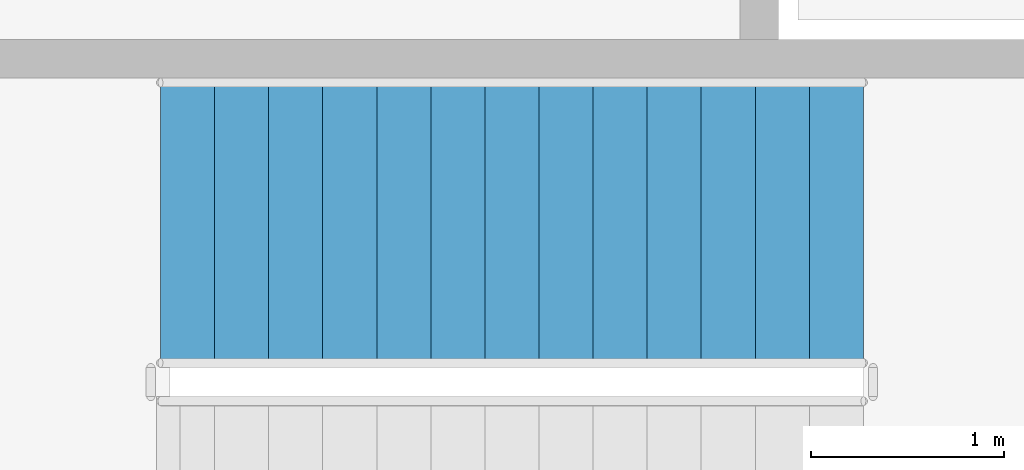
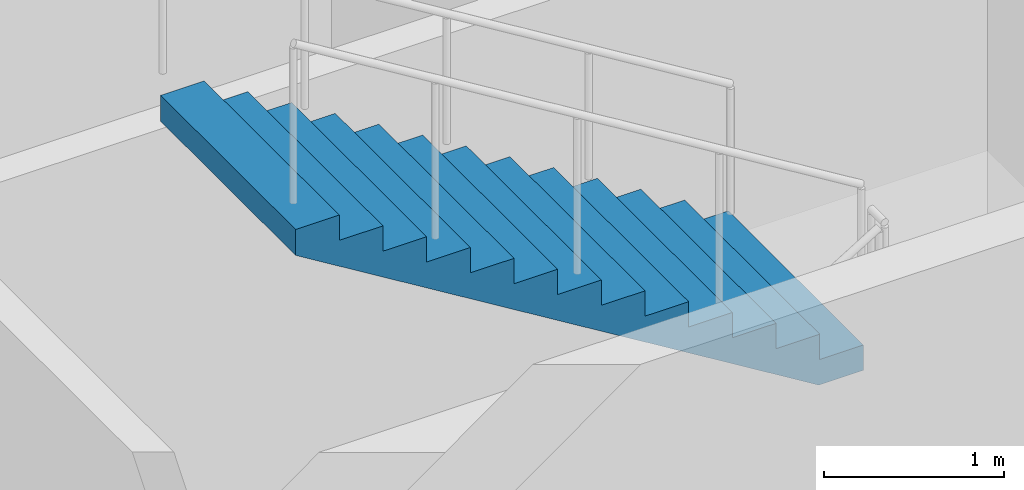
# One storey, part 60 of 91: 1 stair flight, 1 element without a shape of its own.
"""IFC4 building model written with IfcOpenShell, lengths in metres."""

from ifc_helpers import new_model, si_unit, direction, frame, origin, place, context, subcontext, project, spatial, triangles, material, type_object, element, aggregate, save


model = new_model("IFC4")

# Units and contexts
model_context = context("Model", 3, precision=1e-05, world=origin(), true_north=direction((0.0, 1.0)))
body_context = subcontext(model_context, "Body", "Model", "MODEL_VIEW")
ifc_project = project(units=[si_unit("LENGTHUNIT", "METRE"), si_unit("AREAUNIT", "SQUARE_METRE"), si_unit("VOLUMEUNIT", "CUBIC_METRE"), si_unit("PLANEANGLEUNIT", "RADIAN"), si_unit("MASSUNIT", "GRAM", prefix="KILO")], contexts=[model_context])

# Site, building, storey
site_placement = place(None, origin())
site = spatial("IfcSite", under=ifc_project, at=site_placement, CompositionType="ELEMENT")
building_placement = place(site_placement, origin())
building = spatial("IfcBuilding", under=site, at=building_placement, Name="Magnolia Steps Interchange", CompositionType="ELEMENT")
storey_placement = place(building_placement, origin())
storey = spatial("IfcBuildingStorey", under=building, at=storey_placement, Name="L00", CompositionType="ELEMENT", Elevation=0.0)

# Stair, stair flight
ifc_material_1 = material(Name="Concrete C40", Category="concrete")
stair_type = type_object("IfcStairType", Name="Exit stair 1500", PredefinedType="HALF_TURN_STAIR", material=ifc_material_1)
stair_placement = place(storey_placement, origin())
stair = element("IfcStair", 1, at=stair_placement, inside=storey, type_object=stair_type, Name="L00 Stair 8", PredefinedType="HALF_TURN_STAIR")
ifc_material_2 = material(Name="Concrete C40", Category="concrete")
stair_flight_type = type_object("IfcStairFlightType", Name="Exit stair flight", PredefinedType="STRAIGHT", material=ifc_material_2)
stair_flight_placement = place(storey_placement, frame((115.840087890625, 45.300048828125, 2.39990234375), z_axis=(0.0, 0.0, 1.0), x_axis=(-1.0, 0.0, 0.0)))
stair_flight = element("IfcStairFlight", 2, at=stair_flight_placement, type_object=stair_flight_type, Name="Stair 8 flight 2", NumberOfRisers=14, NumberOfTreads=13, PredefinedType="STRAIGHT", RiserHeight=0.171428571, TreadLength=0.28, context=body_context, shape_type="Tessellation", body=[
    triangles([(0.0, -0.75, 0.0), (0.287109375, -0.75, 0.0), (3.639892578125, -0.75, 2.052734375), (3.639892578125, -0.75, 2.228515625), (3.360107421875, -0.75, 2.228515625), (3.360107421875, -0.75, 2.05712890625), (3.080078125, -0.75, 2.05712890625), (3.080078125, -0.75, 1.8857421875), (2.800048828125, -0.75, 1.8857421875), (2.800048828125, -0.75, 1.71435546875), (2.52001953125, -0.75, 1.71435546875), (2.52001953125, -0.75, 1.54296875), (2.239990234375, -0.75, 1.54296875), (2.239990234375, -0.75, 1.371337890625), (1.9599609375, -0.75, 1.371337890625), (1.9599609375, -0.75, 1.199951171875), (1.679931640625, -0.75, 1.199951171875), (1.679931640625, -0.75, 1.028564453125), (1.39990234375, -0.75, 1.028564453125), (1.39990234375, -0.75, 0.857177734375), (1.1201171875, -0.75, 0.857177734375), (1.1201171875, -0.75, 0.685791015625), (0.840087890625, -0.75, 0.685791015625), (0.840087890625, -0.75, 0.514404296875), (0.56005859375, -0.75, 0.514404296875), (0.56005859375, -0.75, 0.3427734375), (0.280029296875, -0.75, 0.3427734375), (0.280029296875, -0.75, 0.17138671875), (0.0, -0.75, 0.17138671875), (0.0, 0.75, 0.0), (0.287109375, 0.75, 0.0), (3.639892578125, 0.75, 2.052734375), (3.639892578125, 0.75, 2.228515625), (3.360107421875, 0.75, 2.228515625), (3.360107421875, 0.75, 2.05712890625), (3.080078125, 0.75, 2.05712890625), (3.080078125, 0.75, 1.8857421875), (2.800048828125, 0.75, 1.8857421875), (2.800048828125, 0.75, 1.71435546875), (2.52001953125, 0.75, 1.71435546875), (2.52001953125, 0.75, 1.54296875), (2.239990234375, 0.75, 1.54296875), (2.239990234375, 0.75, 1.371337890625), (1.9599609375, 0.75, 1.371337890625), (1.9599609375, 0.75, 1.199951171875), (1.679931640625, 0.75, 1.199951171875), (1.679931640625, 0.75, 1.028564453125), (1.39990234375, 0.75, 1.028564453125), (1.39990234375, 0.75, 0.857177734375), (1.1201171875, 0.75, 0.857177734375), (1.1201171875, 0.75, 0.685791015625), (0.840087890625, 0.75, 0.685791015625), (0.840087890625, 0.75, 0.514404296875), (0.56005859375, 0.75, 0.514404296875), (0.56005859375, 0.75, 0.3427734375), (0.280029296875, 0.75, 0.3427734375), (0.280029296875, 0.75, 0.17138671875), (0.0, 0.75, 0.17138671875), (0.0, 0.0, 0.0), (0.0, 0.0, 0.0428466796875), (0.0, 0.0, 0.085693359375), (0.0, 0.0, 0.1285400390625), (0.0, 0.0, 0.17138671875), (0.0, -0.05, 0.0), (0.0, -0.05, 0.17138671875), (0.0, 0.05, 0.0), (0.0, 0.05, 0.17138671875), (0.046671549479166664, 0.0, 0.17138671875), (0.09334309895833333, 0.0, 0.17138671875), (0.1400146484375, 0.0, 0.17138671875), (0.18668619791666666, 0.0, 0.17138671875), (0.23335774739583334, 0.0, 0.17138671875), (0.280029296875, 0.0, 0.17138671875), (0.280029296875, -0.05, 0.17138671875), (0.280029296875, 0.05, 0.17138671875), (0.280029296875, 0.0, 0.2142333984375), (0.280029296875, 0.0, 0.257080078125), (0.280029296875, 0.0, 0.2999267578125), (0.280029296875, 0.0, 0.3427734375), (0.280029296875, -0.05, 0.3427734375), (0.280029296875, 0.05, 0.3427734375), (0.3267008463541667, 0.0, 0.3427734375), (0.3733723958333333, 0.0, 0.3427734375), (0.4200439453125, 0.0, 0.3427734375), (0.46671549479166663, 0.0, 0.3427734375), (0.5133870442708334, 0.0, 0.3427734375), (0.56005859375, 0.0, 0.3427734375), (0.56005859375, -0.05, 0.3427734375), (0.56005859375, 0.05, 0.3427734375), (0.56005859375, 0.0, 0.38568115234375), (0.56005859375, 0.0, 0.4285888671875), (0.56005859375, 0.0, 0.47149658203125), (0.56005859375, 0.0, 0.514404296875), (0.56005859375, -0.05, 0.514404296875), (0.56005859375, 0.05, 0.514404296875), (0.6067301432291666, 0.0, 0.514404296875), (0.6534016927083334, 0.0, 0.514404296875), (0.7000732421875, 0.0, 0.514404296875), (0.7467447916666666, 0.0, 0.514404296875), (0.7934163411458334, 0.0, 0.514404296875), (0.840087890625, 0.0, 0.514404296875), (0.840087890625, -0.05, 0.514404296875), (0.840087890625, 0.05, 0.514404296875), (0.840087890625, 0.0, 0.5572509765625), (0.840087890625, 0.0, 0.60009765625), (0.840087890625, 0.0, 0.6429443359375), (0.840087890625, 0.0, 0.685791015625), (0.840087890625, -0.05, 0.685791015625), (0.840087890625, 0.05, 0.685791015625), (0.8867594401041666, 0.0, 0.685791015625), (0.9334309895833334, 0.0, 0.685791015625), (0.9801025390625, 0.0, 0.685791015625), (1.0267740885416667, 0.0, 0.685791015625), (1.0734456380208333, 0.0, 0.685791015625), (1.1201171875, 0.0, 0.685791015625), (1.1201171875, -0.05, 0.685791015625), (1.1201171875, 0.05, 0.685791015625), (1.1201171875, 0.0, 0.7286376953125), (1.1201171875, 0.0, 0.771484375), (1.1201171875, 0.0, 0.8143310546875), (1.1201171875, 0.0, 0.857177734375), (1.1201171875, -0.05, 0.857177734375), (1.1201171875, 0.05, 0.857177734375), (1.1900634765625, 0.0, 0.857177734375), (1.260009765625, 0.0, 0.857177734375), (1.3299560546875, 0.0, 0.857177734375), (1.39990234375, 0.0, 0.857177734375), (1.39990234375, -0.05, 0.857177734375), (1.39990234375, 0.05, 0.857177734375), (1.39990234375, 0.0, 0.9000244140625), (1.39990234375, 0.0, 0.94287109375), (1.39990234375, 0.0, 0.9857177734375), (1.39990234375, 0.0, 1.028564453125), (1.39990234375, -0.05, 1.028564453125), (1.39990234375, 0.05, 1.028564453125), (1.4465738932291667, 0.0, 1.028564453125), (1.4932454427083333, 0.0, 1.028564453125), (1.5399169921875, 0.0, 1.028564453125), (1.5865885416666667, 0.0, 1.028564453125), (1.6332600911458333, 0.0, 1.028564453125), (1.679931640625, 0.0, 1.028564453125), (1.679931640625, -0.05, 1.028564453125), (1.679931640625, 0.05, 1.028564453125), (1.679931640625, 0.0, 1.0714111328125), (1.679931640625, 0.0, 1.1142578125), (1.679931640625, 0.0, 1.1571044921875), (1.679931640625, 0.0, 1.199951171875), (1.679931640625, -0.05, 1.199951171875), (1.679931640625, 0.05, 1.199951171875), (1.7266031901041667, 0.0, 1.199951171875), (1.7732747395833333, 0.0, 1.199951171875), (1.8199462890625, 0.0, 1.199951171875), (1.8666178385416667, 0.0, 1.199951171875), (1.9132893880208333, 0.0, 1.199951171875), (1.9599609375, 0.0, 1.199951171875), (1.9599609375, -0.05, 1.199951171875), (1.9599609375, 0.05, 1.199951171875), (1.9599609375, 0.0, 1.2427978515625), (1.9599609375, 0.0, 1.28564453125), (1.9599609375, 0.0, 1.3284912109375), (1.9599609375, 0.0, 1.371337890625), (1.9599609375, -0.05, 1.371337890625), (1.9599609375, 0.05, 1.371337890625), (2.0066324869791665, 0.0, 1.371337890625), (2.0533040364583335, 0.0, 1.371337890625), (2.0999755859375, 0.0, 1.371337890625), (2.1466471354166665, 0.0, 1.371337890625), (2.1933186848958335, 0.0, 1.371337890625), (2.239990234375, 0.0, 1.371337890625), (2.239990234375, -0.05, 1.371337890625), (2.239990234375, 0.05, 1.371337890625), (2.239990234375, 0.0, 1.41424560546875), (2.239990234375, 0.0, 1.4571533203125), (2.239990234375, 0.0, 1.50006103515625), (2.239990234375, 0.0, 1.54296875), (2.239990234375, -0.05, 1.54296875), (2.239990234375, 0.05, 1.54296875), (2.2866617838541665, 0.0, 1.54296875), (2.3333333333333335, 0.0, 1.54296875), (2.3800048828125, 0.0, 1.54296875), (2.4266764322916665, 0.0, 1.54296875), (2.4733479817708335, 0.0, 1.54296875), (2.52001953125, 0.0, 1.54296875), (2.52001953125, -0.05, 1.54296875), (2.52001953125, 0.05, 1.54296875), (2.52001953125, 0.0, 1.5858154296875), (2.52001953125, 0.0, 1.628662109375), (2.52001953125, 0.0, 1.6715087890625), (2.52001953125, 0.0, 1.71435546875), (2.52001953125, -0.05, 1.71435546875), (2.52001953125, 0.05, 1.71435546875), (2.5666910807291665, 0.0, 1.71435546875), (2.6133626302083335, 0.0, 1.71435546875), (2.6600341796875, 0.0, 1.71435546875), (2.7067057291666665, 0.0, 1.71435546875), (2.7533772786458335, 0.0, 1.71435546875), (2.800048828125, 0.0, 1.71435546875), (2.800048828125, -0.05, 1.71435546875), (2.800048828125, 0.05, 1.71435546875), (2.800048828125, 0.0, 1.7572021484375), (2.800048828125, 0.0, 1.800048828125), (2.800048828125, 0.0, 1.8428955078125), (2.800048828125, 0.0, 1.8857421875), (2.800048828125, -0.05, 1.8857421875), (2.800048828125, 0.05, 1.8857421875), (2.8467203776041665, 0.0, 1.8857421875), (2.8933919270833335, 0.0, 1.8857421875), (2.9400634765625, 0.0, 1.8857421875), (2.9867350260416665, 0.0, 1.8857421875), (3.0334065755208335, 0.0, 1.8857421875), (3.080078125, 0.0, 1.8857421875), (3.080078125, -0.05, 1.8857421875), (3.080078125, 0.05, 1.8857421875), (3.080078125, 0.0, 1.9285888671875), (3.080078125, 0.0, 1.971435546875), (3.080078125, 0.0, 2.0142822265625), (3.080078125, 0.0, 2.05712890625), (3.080078125, -0.05, 2.05712890625), (3.080078125, 0.05, 2.05712890625), (3.1267496744791665, 0.0, 2.05712890625), (3.1734212239583335, 0.0, 2.05712890625), (3.2200927734375, 0.0, 2.05712890625), (3.2667643229166665, 0.0, 2.05712890625), (3.3134358723958335, 0.0, 2.05712890625), (3.360107421875, 0.0, 2.05712890625), (3.360107421875, -0.05, 2.05712890625), (3.360107421875, 0.05, 2.05712890625), (3.360107421875, 0.0, 2.0999755859375), (3.360107421875, 0.0, 2.142822265625), (3.360107421875, 0.0, 2.1856689453125), (3.360107421875, 0.0, 2.228515625), (3.360107421875, -0.05, 2.228515625), (3.360107421875, 0.05, 2.228515625), (3.4300537109375, 0.0, 2.228515625), (3.5, 0.0, 2.228515625), (3.5699462890625, 0.0, 2.228515625), (3.639892578125, 0.0, 2.228515625), (3.639892578125, -0.05, 2.228515625), (3.639892578125, 0.05, 2.228515625), (3.639892578125, 0.0, 2.1845703125), (3.639892578125, 0.0, 2.140625), (3.639892578125, 0.0, 2.0966796875), (3.639892578125, 0.0, 2.052734375), (3.639892578125, -0.05, 2.052734375), (3.639892578125, 0.05, 2.052734375), (3.582085971174569, 0.0, 2.0173424030172415), (3.524279364224138, 0.0, 1.9819504310344827), (3.466472757273707, 0.0, 1.9465584590517242), (3.408666150323276, 0.0, 1.9111664870689655), (3.3508595433728448, 0.0, 1.8757745150862069), (3.2930529364224137, 0.0, 1.8403825431034484), (3.2352463294719827, 0.0, 1.8049905711206897), (3.1774397225215516, 0.0, 1.769598599137931), (3.1196331155711206, 0.0, 1.7342066271551724), (3.0618265086206895, 0.0, 1.6988146551724137), (3.004019901670259, 0.0, 1.6634226831896552), (2.9462132947198274, 0.0, 1.6280307112068966), (2.888406687769397, 0.0, 1.592638739224138), (2.8306000808189653, 0.0, 1.5572467672413794), (2.7727934738685347, 0.0, 1.5218547952586206), (2.714986866918103, 0.0, 1.486462823275862), (2.6571802599676726, 0.0, 1.4510708512931034), (2.599373653017241, 0.0, 1.4156788793103448), (2.5415670460668105, 0.0, 1.3802869073275863), (2.483760439116379, 0.0, 1.3448949353448276), (2.4259538321659484, 0.0, 1.309502963362069), (2.3681472252155173, 0.0, 1.2741109913793105), (2.3103406182650863, 0.0, 1.2387190193965516), (2.2525340113146552, 0.0, 1.2033270474137931), (2.194727404364224, 0.0, 1.1679350754310345), (2.136920797413793, 0.0, 1.1325431034482758), (2.079114190463362, 0.0, 1.0971511314655173), (2.021307583512931, 0.0, 1.0617591594827587), (1.9635009765625, 0.0, 1.0263671875), (1.905694369612069, 0.0, 0.9909752155172413), (1.847887762661638, 0.0, 0.9555832435344827), (1.7900811557112069, 0.0, 0.9201912715517242), (1.7322745487607758, 0.0, 0.8847992995689655), (1.6744679418103448, 0.0, 0.8494073275862069), (1.6166613348599137, 0.0, 0.8140153556034482), (1.5588547279094827, 0.0, 0.7786233836206897), (1.5010481209590516, 0.0, 0.743231411637931), (1.4432415140086206, 0.0, 0.7078394396551724), (1.3854349070581895, 0.0, 0.6724474676724137), (1.3276283001077585, 0.0, 0.6370554956896552), (1.2698216931573274, 0.0, 0.6016635237068966), (1.2120150862068964, 0.0, 0.5662715517241379), (1.1542084792564653, 0.0, 0.5308795797413792), (1.0964018723060347, 0.0, 0.4954876077586208), (1.0385952653556036, 0.0, 0.4600956357758621), (0.9807886584051726, 0.0, 0.4247036637931034), (0.9229820514547415, 0.0, 0.38931169181034475), (0.8651754445043105, 0.0, 0.3539197198275863), (0.8073688375538794, 0.0, 0.3185277478448276), (0.7495622306034484, 0.0, 0.28313577586206895), (0.6917556236530173, 0.0, 0.24774380387931028), (0.6339490167025863, 0.0, 0.21235183189655182), (0.5761424097521552, 0.0, 0.17695985991379315), (0.5183358028017242, 0.0, 0.14156788793103448), (0.46052919585129315, 0.0, 0.1061759159482758), (0.4027225889008621, 0.0, 0.07078394396551735), (0.34491598195043105, 0.0, 0.03539197198275845), (0.287109375, 0.0, 0.0), (0.287109375, -0.05, 0.0), (0.287109375, 0.05, 0.0), (0.2392578125, 0.0, 0.0), (0.19140625, 0.0, 0.0), (0.1435546875, 0.0, 0.0), (0.095703125, 0.0, 0.0), (0.0478515625, 0.0, 0.0)], [[1, 2, 3], [3, 4, 5], [3, 5, 6], [3, 6, 7], [3, 7, 8], [8, 9, 10], [3, 8, 10], [10, 11, 12], [3, 10, 12], [12, 13, 14], [3, 12, 14], [14, 15, 16], [3, 14, 16], [16, 17, 18], [3, 16, 18], [18, 19, 20], [3, 18, 20], [20, 21, 22], [3, 20, 22], [22, 23, 24], [3, 22, 24], [24, 25, 26], [3, 24, 26], [26, 27, 28], [3, 26, 28], [1, 3, 28], [28, 29, 1], [30, 32, 31], [32, 34, 33], [32, 35, 34], [32, 36, 35], [32, 37, 36], [37, 39, 38], [32, 39, 37], [39, 41, 40], [32, 41, 39], [41, 43, 42], [32, 43, 41], [43, 45, 44], [32, 45, 43], [45, 47, 46], [32, 47, 45], [47, 49, 48], [32, 49, 47], [49, 51, 50], [32, 51, 49], [51, 53, 52], [32, 53, 51], [53, 55, 54], [32, 55, 53], [55, 57, 56], [32, 57, 55], [30, 57, 32], [57, 30, 58], [1, 29, 65], [1, 65, 64], [64, 60, 59], [64, 61, 60], [64, 65, 61], [65, 62, 61], [65, 63, 62], [30, 67, 58], [30, 66, 67], [66, 59, 60], [66, 60, 61], [66, 61, 67], [67, 61, 62], [67, 62, 63], [29, 28, 74], [29, 74, 65], [65, 68, 63], [65, 69, 68], [65, 70, 69], [65, 74, 70], [74, 71, 70], [74, 72, 71], [74, 73, 72], [58, 75, 57], [58, 67, 75], [67, 63, 68], [67, 68, 69], [67, 69, 70], [67, 70, 75], [75, 70, 71], [75, 71, 72], [75, 72, 73], [28, 27, 80], [28, 80, 74], [74, 76, 73], [74, 77, 76], [74, 80, 77], [80, 78, 77], [80, 79, 78], [57, 81, 56], [57, 75, 81], [75, 73, 76], [75, 76, 77], [75, 77, 81], [81, 77, 78], [81, 78, 79], [27, 26, 88], [27, 88, 80], [80, 82, 79], [80, 83, 82], [80, 84, 83], [80, 88, 84], [88, 85, 84], [88, 86, 85], [88, 87, 86], [56, 89, 55], [56, 81, 89], [81, 79, 82], [81, 82, 83], [81, 83, 84], [81, 84, 89], [89, 84, 85], [89, 85, 86], [89, 86, 87], [26, 25, 94], [26, 94, 88], [88, 90, 87], [88, 91, 90], [88, 94, 91], [94, 92, 91], [94, 93, 92], [55, 95, 54], [55, 89, 95], [89, 87, 90], [89, 90, 91], [89, 91, 95], [95, 91, 92], [95, 92, 93], [25, 24, 102], [25, 102, 94], [94, 96, 93], [94, 97, 96], [94, 98, 97], [94, 102, 98], [102, 99, 98], [102, 100, 99], [102, 101, 100], [54, 103, 53], [54, 95, 103], [95, 93, 96], [95, 96, 97], [95, 97, 98], [95, 98, 103], [103, 98, 99], [103, 99, 100], [103, 100, 101], [24, 23, 108], [24, 108, 102], [102, 104, 101], [102, 105, 104], [102, 108, 105], [108, 106, 105], [108, 107, 106], [53, 109, 52], [53, 103, 109], [103, 101, 104], [103, 104, 105], [103, 105, 109], [109, 105, 106], [109, 106, 107], [23, 22, 116], [23, 116, 108], [108, 110, 107], [108, 111, 110], [108, 112, 111], [108, 116, 112], [116, 113, 112], [116, 114, 113], [116, 115, 114], [52, 117, 51], [52, 109, 117], [109, 107, 110], [109, 110, 111], [109, 111, 112], [109, 112, 117], [117, 112, 113], [117, 113, 114], [117, 114, 115], [22, 21, 122], [22, 122, 116], [116, 118, 115], [116, 119, 118], [116, 122, 119], [122, 120, 119], [122, 121, 120], [51, 123, 50], [51, 117, 123], [117, 115, 118], [117, 118, 119], [117, 119, 123], [123, 119, 120], [123, 120, 121], [21, 20, 128], [21, 128, 122], [122, 124, 121], [122, 125, 124], [122, 128, 125], [128, 126, 125], [128, 127, 126], [50, 129, 49], [50, 123, 129], [123, 121, 124], [123, 124, 125], [123, 125, 129], [129, 125, 126], [129, 126, 127], [20, 19, 134], [20, 134, 128], [128, 130, 127], [128, 131, 130], [128, 134, 131], [134, 132, 131], [134, 133, 132], [49, 135, 48], [49, 129, 135], [129, 127, 130], [129, 130, 131], [129, 131, 135], [135, 131, 132], [135, 132, 133], [19, 18, 142], [19, 142, 134], [134, 136, 133], [134, 137, 136], [134, 138, 137], [134, 142, 138], [142, 139, 138], [142, 140, 139], [142, 141, 140], [48, 143, 47], [48, 135, 143], [135, 133, 136], [135, 136, 137], [135, 137, 138], [135, 138, 143], [143, 138, 139], [143, 139, 140], [143, 140, 141], [18, 17, 148], [18, 148, 142], [142, 144, 141], [142, 145, 144], [142, 148, 145], [148, 146, 145], [148, 147, 146], [47, 149, 46], [47, 143, 149], [143, 141, 144], [143, 144, 145], [143, 145, 149], [149, 145, 146], [149, 146, 147], [17, 16, 156], [17, 156, 148], [148, 150, 147], [148, 151, 150], [148, 152, 151], [148, 156, 152], [156, 153, 152], [156, 154, 153], [156, 155, 154], [46, 157, 45], [46, 149, 157], [149, 147, 150], [149, 150, 151], [149, 151, 152], [149, 152, 157], [157, 152, 153], [157, 153, 154], [157, 154, 155], [16, 15, 162], [16, 162, 156], [156, 158, 155], [156, 159, 158], [156, 162, 159], [162, 160, 159], [162, 161, 160], [45, 163, 44], [45, 157, 163], [157, 155, 158], [157, 158, 159], [157, 159, 163], [163, 159, 160], [163, 160, 161], [15, 14, 170], [15, 170, 162], [162, 164, 161], [162, 165, 164], [162, 166, 165], [162, 170, 166], [170, 167, 166], [170, 168, 167], [170, 169, 168], [44, 171, 43], [44, 163, 171], [163, 161, 164], [163, 164, 165], [163, 165, 166], [163, 166, 171], [171, 166, 167], [171, 167, 168], [171, 168, 169], [14, 13, 176], [14, 176, 170], [170, 172, 169], [170, 173, 172], [170, 176, 173], [176, 174, 173], [176, 175, 174], [43, 177, 42], [43, 171, 177], [171, 169, 172], [171, 172, 173], [171, 173, 177], [177, 173, 174], [177, 174, 175], [13, 12, 184], [13, 184, 176], [176, 178, 175], [176, 179, 178], [176, 180, 179], [176, 184, 180], [184, 181, 180], [184, 182, 181], [184, 183, 182], [42, 185, 41], [42, 177, 185], [177, 175, 178], [177, 178, 179], [177, 179, 180], [177, 180, 185], [185, 180, 181], [185, 181, 182], [185, 182, 183], [12, 11, 190], [12, 190, 184], [184, 186, 183], [184, 187, 186], [184, 190, 187], [190, 188, 187], [190, 189, 188], [41, 191, 40], [41, 185, 191], [185, 183, 186], [185, 186, 187], [185, 187, 191], [191, 187, 188], [191, 188, 189], [11, 10, 198], [11, 198, 190], [190, 192, 189], [190, 193, 192], [190, 194, 193], [190, 198, 194], [198, 195, 194], [198, 196, 195], [198, 197, 196], [40, 199, 39], [40, 191, 199], [191, 189, 192], [191, 192, 193], [191, 193, 194], [191, 194, 199], [199, 194, 195], [199, 195, 196], [199, 196, 197], [10, 9, 204], [10, 204, 198], [198, 200, 197], [198, 201, 200], [198, 204, 201], [204, 202, 201], [204, 203, 202], [39, 205, 38], [39, 199, 205], [199, 197, 200], [199, 200, 201], [199, 201, 205], [205, 201, 202], [205, 202, 203], [9, 8, 212], [9, 212, 204], [204, 206, 203], [204, 207, 206], [204, 208, 207], [204, 212, 208], [212, 209, 208], [212, 210, 209], [212, 211, 210], [38, 213, 37], [38, 205, 213], [205, 203, 206], [205, 206, 207], [205, 207, 208], [205, 208, 213], [213, 208, 209], [213, 209, 210], [213, 210, 211], [8, 7, 218], [8, 218, 212], [212, 214, 211], [212, 215, 214], [212, 218, 215], [218, 216, 215], [218, 217, 216], [37, 219, 36], [37, 213, 219], [213, 211, 214], [213, 214, 215], [213, 215, 219], [219, 215, 216], [219, 216, 217], [7, 6, 226], [7, 226, 218], [218, 220, 217], [218, 221, 220], [218, 222, 221], [218, 226, 222], [226, 223, 222], [226, 224, 223], [226, 225, 224], [36, 227, 35], [36, 219, 227], [219, 217, 220], [219, 220, 221], [219, 221, 222], [219, 222, 227], [227, 222, 223], [227, 223, 224], [227, 224, 225], [6, 5, 232], [6, 232, 226], [226, 228, 225], [226, 229, 228], [226, 232, 229], [232, 230, 229], [232, 231, 230], [35, 233, 34], [35, 227, 233], [227, 225, 228], [227, 228, 229], [227, 229, 233], [233, 229, 230], [233, 230, 231], [5, 4, 238], [5, 238, 232], [232, 234, 231], [232, 235, 234], [232, 238, 235], [238, 236, 235], [238, 237, 236], [34, 239, 33], [34, 233, 239], [233, 231, 234], [233, 234, 235], [233, 235, 239], [239, 235, 236], [239, 236, 237], [4, 3, 244], [4, 244, 238], [238, 240, 237], [238, 241, 240], [238, 244, 241], [244, 242, 241], [244, 243, 242], [33, 245, 32], [33, 239, 245], [239, 237, 240], [239, 240, 241], [239, 241, 245], [245, 241, 242], [245, 242, 243], [3, 2, 304], [3, 304, 244], [244, 246, 243], [244, 247, 246], [244, 248, 247], [244, 249, 248], [244, 250, 249], [244, 251, 250], [244, 252, 251], [244, 253, 252], [244, 254, 253], [244, 255, 254], [244, 256, 255], [244, 257, 256], [244, 258, 257], [244, 259, 258], [244, 260, 259], [244, 261, 260], [244, 262, 261], [244, 263, 262], [244, 264, 263], [244, 265, 264], [244, 266, 265], [244, 267, 266], [244, 268, 267], [244, 269, 268], [244, 270, 269], [244, 271, 270], [244, 272, 271], [244, 273, 272], [244, 274, 273], [244, 304, 274], [304, 275, 274], [304, 276, 275], [304, 277, 276], [304, 278, 277], [304, 279, 278], [304, 280, 279], [304, 281, 280], [304, 282, 281], [304, 283, 282], [304, 284, 283], [304, 285, 284], [304, 286, 285], [304, 287, 286], [304, 288, 287], [304, 289, 288], [304, 290, 289], [304, 291, 290], [304, 292, 291], [304, 293, 292], [304, 294, 293], [304, 295, 294], [304, 296, 295], [304, 297, 296], [304, 298, 297], [304, 299, 298], [304, 300, 299], [304, 301, 300], [304, 302, 301], [304, 303, 302], [32, 305, 31], [32, 245, 305], [245, 243, 246], [245, 246, 247], [245, 247, 248], [245, 248, 249], [245, 249, 250], [245, 250, 251], [245, 251, 252], [245, 252, 253], [245, 253, 254], [245, 254, 255], [245, 255, 256], [245, 256, 257], [245, 257, 258], [245, 258, 259], [245, 259, 260], [245, 260, 261], [245, 261, 262], [245, 262, 263], [245, 263, 264], [245, 264, 265], [245, 265, 266], [245, 266, 267], [245, 267, 268], [245, 268, 269], [245, 269, 270], [245, 270, 271], [245, 271, 272], [245, 272, 273], [245, 273, 274], [245, 274, 305], [305, 274, 275], [305, 275, 276], [305, 276, 277], [305, 277, 278], [305, 278, 279], [305, 279, 280], [305, 280, 281], [305, 281, 282], [305, 282, 283], [305, 283, 284], [305, 284, 285], [305, 285, 286], [305, 286, 287], [305, 287, 288], [305, 288, 289], [305, 289, 290], [305, 290, 291], [305, 291, 292], [305, 292, 293], [305, 293, 294], [305, 294, 295], [305, 295, 296], [305, 296, 297], [305, 297, 298], [305, 298, 299], [305, 299, 300], [305, 300, 301], [305, 301, 302], [305, 302, 303], [2, 1, 64], [2, 64, 304], [304, 306, 303], [304, 307, 306], [304, 308, 307], [304, 64, 308], [64, 309, 308], [64, 310, 309], [64, 59, 310], [31, 66, 30], [31, 305, 66], [305, 303, 306], [305, 306, 307], [305, 307, 308], [305, 308, 66], [66, 308, 309], [66, 309, 310], [66, 310, 59]], closed=True),
])
aggregate(stair, [stair_flight])

save(model, "model.ifc")
